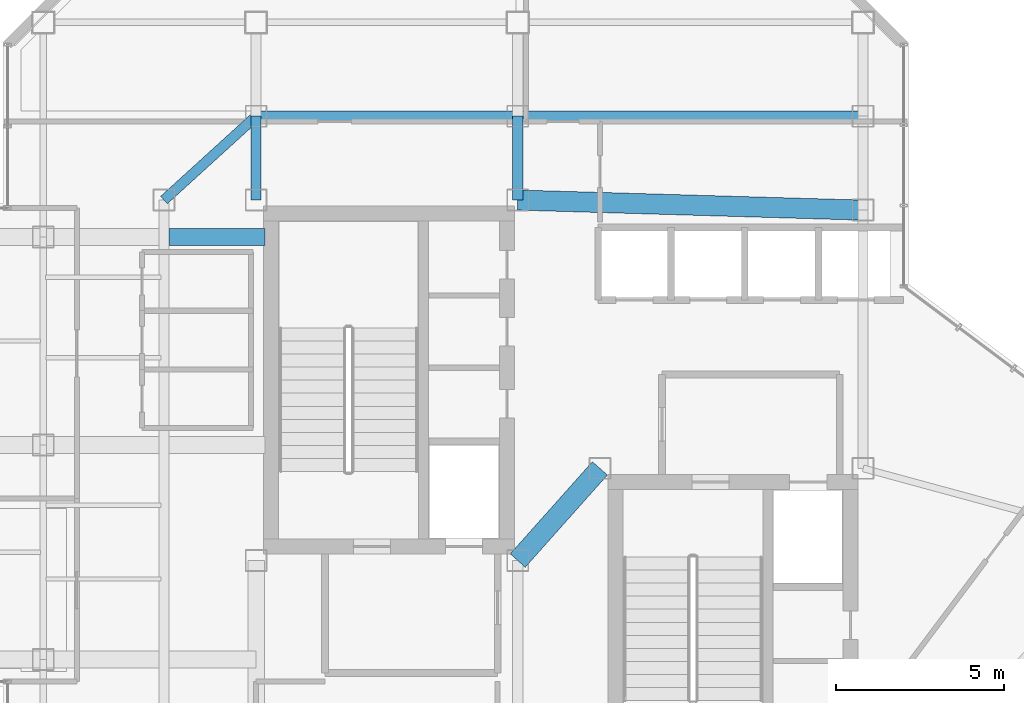
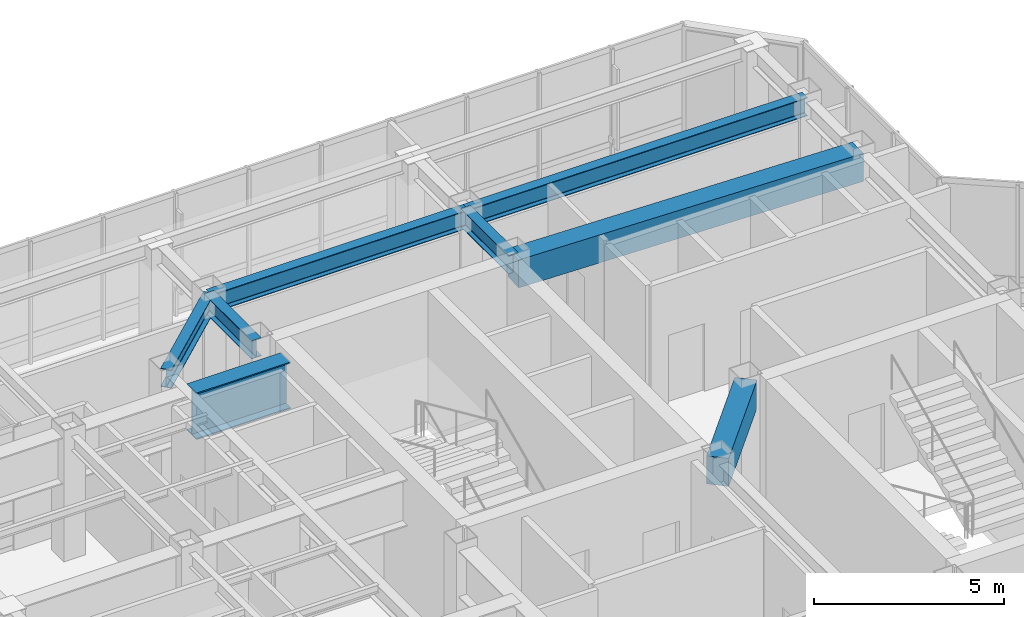
# One storey, part 8 of 22: 8 beams.
"""IFC4 building model written with IfcOpenShell, lengths in metres."""

from ifc_helpers import new_model, si_unit, direction, frame, origin, origin_2d, place, context, subcontext, project, spatial, rectangle, i_section, extrude, material, material_profile, profile_set, type_object, element, save


model = new_model("IFC4")

# Units and contexts
model_context = context("Model", 3, precision=1e-05, world=origin(), true_north=direction((0.0, 1.0)))
body_context = subcontext(model_context, "Body", "Model", "MODEL_VIEW")
ifc_project = project(units=[si_unit("LENGTHUNIT", "METRE"), si_unit("AREAUNIT", "SQUARE_METRE"), si_unit("VOLUMEUNIT", "CUBIC_METRE"), si_unit("PLANEANGLEUNIT", "RADIAN"), si_unit("MASSUNIT", "GRAM", prefix="KILO")], contexts=[model_context])

# Site, building, storey
site_placement = place(None, origin())
site = spatial("IfcSite", under=ifc_project, at=site_placement, CompositionType="ELEMENT")
building_placement = place(site_placement, origin())
building = spatial("IfcBuilding", under=site, at=building_placement, Name="Hatsunagi Terrace Concourse", CompositionType="ELEMENT")
storey_placement = place(building_placement, frame((0.0, 0.0, 261.75)))
storey = spatial("IfcBuildingStorey", under=building, at=storey_placement, Name="L69", CompositionType="ELEMENT", Elevation=261.75)

# Beams
ifc_material_1 = material(Name="Concrete Fc42", Category="concrete")
ifc_material_profile_1 = material_profile(ifc_material_1, rectangle(XDim=0.60009765625, YDim=0.89990234375, at=origin_2d()), Name="RC-600x900")
ifc_profile_set_1 = profile_set([ifc_material_profile_1], Name="Concrete Fc42")
beam_type_1 = type_object("IfcBeamType", Name="CoreCouplingBeam_RC_600x900", PredefinedType="BEAM", material=ifc_profile_set_1)
beam_1_placement = place(storey_placement, frame((33.35009765625, 32.550048828125, 3.5), z_axis=(0.665198651008, 0.746666427997, 0.0), x_axis=(-0.746666427997, 0.665198651008, 0.0)))
element("IfcBeam", 1, at=beam_1_placement, inside=storey, type_object=beam_type_1, Name="Beam CB-03 CB-L69-1", PredefinedType="BEAM", context=body_context, shape_type="SweptSolid", body=[
    extrude(rectangle(XDim=0.60009765625, YDim=0.89990234375, at=origin_2d()), origin(), (0.0, 0.0, 1.0), 3.68310546875),
])
beam_2_placement = place(storey_placement, frame((33.35009765625, 43.300048828125, 3.5), z_axis=(0.999575947545, -0.029119153303, 0.0), x_axis=(0.029119153303, 0.999575947545, 0.0)))
element("IfcBeam", 2, at=beam_2_placement, inside=storey, type_object=beam_type_1, Name="Beam CB-03 CB-L69-2", PredefinedType="BEAM", context=body_context, shape_type="SweptSolid", body=[
    extrude(rectangle(XDim=0.60009765625, YDim=0.89990234375, at=origin_2d()), origin(), (0.0, 0.0, 1.0), 10.30419921875),
])
ifc_material_2 = material(Name="Steel SN490B", Category="steel")
ifc_material_profile_2 = material_profile(ifc_material_2, i_section(OverallWidth=0.300048828125, OverallDepth=0.587890625, WebThickness=0.011962890625, FlangeThickness=0.02001953125, FilletRadius=0.01806640625, at=origin_2d()), Name="H-588x300x12x20")
ifc_profile_set_2 = profile_set([ifc_material_profile_2], Name="Steel SN490B")
beam_type_2 = type_object("IfcBeamType", Name="OfficeHighGirder_H_588x300", PredefinedType="BEAM", material=ifc_profile_set_2)
for number, where, z_axis, x_axis, name in (
    (3, (25.550048828125, 43.300048828125, 3.656005859375), (0.0, 1.0, 0.0), (-1.0, 0.0, 0.0), "Beam G-06 BM-L69-CN1"),
    (4, (33.35009765625, 43.300048828125, 3.656005859375), (0.0, 1.0, 0.0), (-1.0, 0.0, 0.0), "Beam G-06 BM-L69-CN2"),
):
    element("IfcBeam", number, at=place(storey_placement, frame(where, z_axis=z_axis, x_axis=x_axis)), inside=storey, type_object=beam_type_2, Name=name, PredefinedType="BEAM", context=body_context, shape_type="SweptSolid", body=[
        extrude(i_section(OverallWidth=0.300048828125, OverallDepth=0.587890625, WebThickness=0.011962890625, FlangeThickness=0.02001953125, FilletRadius=0.01806640625, at=origin_2d()), origin(), (0.0, 0.0, 1.0), 2.5),
    ])
beam_3_placement = place(storey_placement, frame((25.550048828125, 45.800048828125, 3.656005859375), z_axis=(1.0, 0.0, 0.0), x_axis=(0.0, 1.0, 0.0)))
element("IfcBeam", 5, at=beam_3_placement, inside=storey, type_object=beam_type_2, Name="Beam G-06 BM-L69-CNEW1", PredefinedType="BEAM", context=body_context, shape_type="SweptSolid", body=[
    extrude(i_section(OverallWidth=0.300048828125, OverallDepth=0.587890625, WebThickness=0.011962890625, FlangeThickness=0.02001953125, FilletRadius=0.01806640625, at=origin_2d()), origin(), (0.0, 0.0, 1.0), 7.800048828125),
])
beam_4_placement = place(storey_placement, frame((33.35009765625, 45.800048828125, 3.656005859375), z_axis=(1.0, 0.0, 0.0), x_axis=(0.0, 1.0, 0.0)))
element("IfcBeam", 6, at=beam_4_placement, inside=storey, type_object=beam_type_2, Name="Beam G-06 BM-L69-CNEW2", PredefinedType="BEAM", context=body_context, shape_type="SweptSolid", body=[
    extrude(i_section(OverallWidth=0.300048828125, OverallDepth=0.587890625, WebThickness=0.011962890625, FlangeThickness=0.02001953125, FilletRadius=0.01806640625, at=origin_2d()), origin(), (0.0, 0.0, 1.0), 10.2998046875),
])
beam_5_placement = place(storey_placement, frame((22.800048828125, 43.300048828125, 3.656005859375), z_axis=(0.739940073396, 0.672672793996, 0.0), x_axis=(-0.672672793996, 0.739940073396, 0.0)))
element("IfcBeam", 7, at=beam_5_placement, inside=storey, type_object=beam_type_2, Name="Beam G-06 BM-L69-CWEW-N", PredefinedType="BEAM", context=body_context, shape_type="SweptSolid", body=[
    extrude(i_section(OverallWidth=0.300048828125, OverallDepth=0.587890625, WebThickness=0.011962890625, FlangeThickness=0.02001953125, FilletRadius=0.01806640625, at=origin_2d()), origin(), (0.0, 0.0, 1.0), 3.716552734375),
])
ifc_material_3 = material(Name="Steel SN490C", Category="steel")
ifc_material_profile_3 = material_profile(ifc_material_3, i_section(OverallWidth=0.5, OverallDepth=1.5, WebThickness=0.028076171875, FlangeThickness=0.0380859375, at=origin_2d()), Name="BH-1500x500x28x38")
ifc_profile_set_3 = profile_set([ifc_material_profile_3], Name="Steel SN490C")
beam_type_3 = type_object("IfcBeamType", Name="SkyLoungeTrussGirder_BH_1500x500x28x38", PredefinedType="USERDEFINED", material=ifc_profile_set_3)
beam_6_placement = place(storey_placement, frame((25.81005859375, 42.199951171875, 3.199951171875), z_axis=(-1.0, 0.0, 0.0), x_axis=(0.0, -1.0, 0.0)))
element("IfcBeam", 8, at=beam_6_placement, inside=storey, type_object=beam_type_3, Name="Transfer girder SLT-01 SLT-L69-BS-3", ObjectType="TRANSFER_GIRDER", PredefinedType="USERDEFINED", context=body_context, shape_type="SweptSolid", body=[
    extrude(i_section(OverallWidth=0.5, OverallDepth=1.5, WebThickness=0.028076171875, FlangeThickness=0.0380859375, at=origin_2d()), origin(), (0.0, 0.0, 1.0), 2.860107421875),
])

save(model, "model.ifc")
